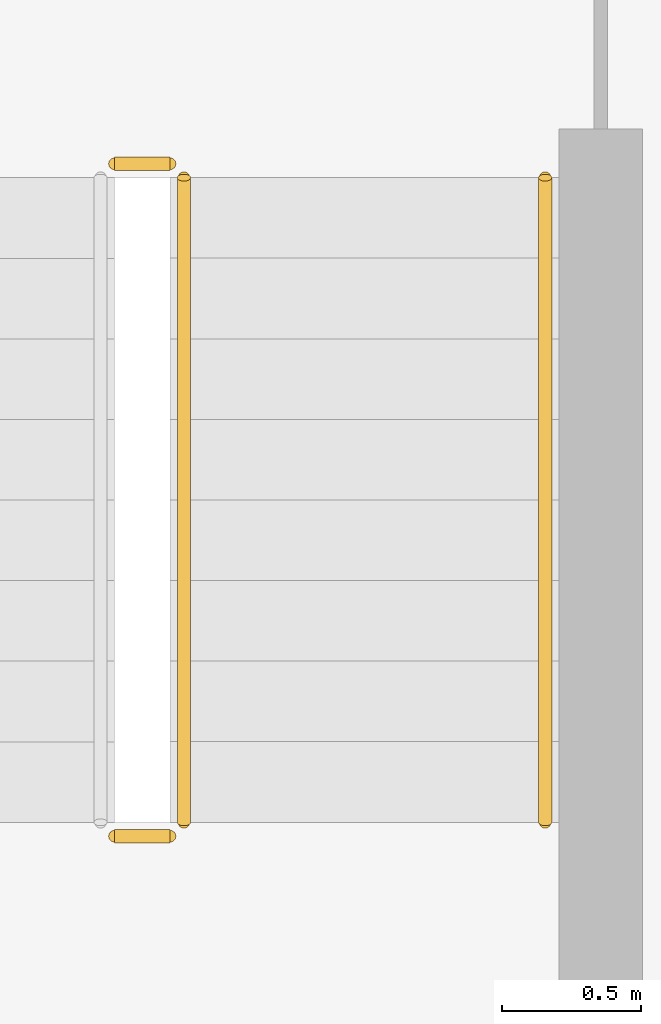
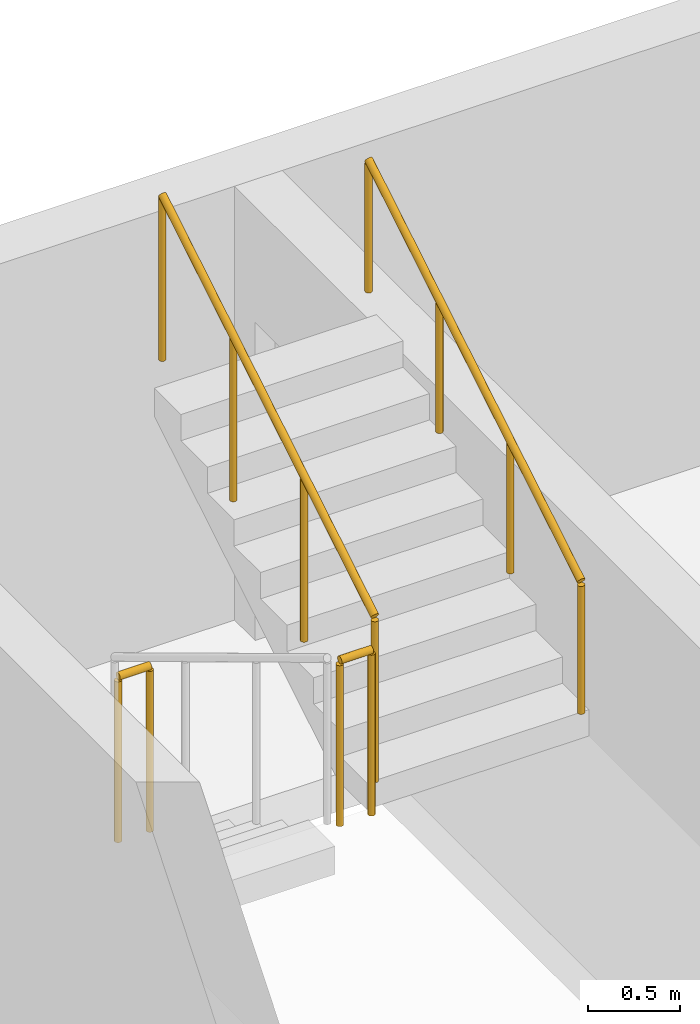
# One storey, part 22 of 28: 4 railings.
"""IFC4 building model written with IfcOpenShell, lengths in metres."""

from ifc_helpers import new_model, si_unit, derived_unit, direction, frame, origin, origin_2d, place, context, subcontext, project, spatial, circle, extrude, material, type_object, element, save


model = new_model("IFC4")

# Units and contexts
model_context = context("Model", 3, precision=1e-05, world=origin(), true_north=direction((0.0, 1.0)))
body_context = subcontext(model_context, "Body", "Model", "MODEL_VIEW")
ifc_project = project(units=[si_unit("LENGTHUNIT", "METRE"), si_unit("AREAUNIT", "SQUARE_METRE"), si_unit("VOLUMEUNIT", "CUBIC_METRE"), si_unit("PLANEANGLEUNIT", "RADIAN"), si_unit("MASSUNIT", "GRAM", prefix="KILO"), derived_unit("THERMALTRANSMITTANCEUNIT", [(si_unit("MASSUNIT", "GRAM", prefix="KILO"), 1), (si_unit("TIMEUNIT", "SECOND"), -3), (si_unit("THERMODYNAMICTEMPERATUREUNIT", "KELVIN"), -1)])], contexts=[model_context])

# Site, building, storey
site_placement = place(None, origin())
site = spatial("IfcSite", under=ifc_project, at=site_placement, CompositionType="ELEMENT")
building_placement = place(site_placement, origin())
building = spatial("IfcBuilding", under=site, at=building_placement, Name="Ochrekiln Boulevard Commons", CompositionType="ELEMENT")
storey_placement = place(building_placement, frame((0.0, 0.0, 34.125)))
storey = spatial("IfcBuildingStorey", under=building, at=storey_placement, Name="L10", CompositionType="ELEMENT", Elevation=34.125)

# Railings
ifc_material = material(Name="Brushed stainless steel 316 tubular railing", Category="steel")
railing_type_1 = type_object("IfcRailingType", Name="RLG-HDR-900", PredefinedType="HANDRAIL", material=ifc_material)
railing_1_placement = place(storey_placement, frame((9.35009765625, 114.610107421875, 1.75)))
element("IfcRailing", 1, at=railing_1_placement, inside=storey, type_object=railing_type_1, Name="L10 ST-A2 stair handrail 2", PredefinedType="HANDRAIL", context=body_context, shape_type="SweptSolid", body=[
    extrude(circle(Radius=0.02392578125, at=origin_2d()), frame((0.0, 0.0, 0.8759765625), z_axis=(0.0, 0.856186286599, 0.516667245565), x_axis=(-1.0, 0.0, 0.0)), (0.0, 0.0, 1.0), 2.70947265625),
    extrude(circle(Radius=0.02099609375, at=origin_2d()), origin(), (0.0, 0.0, 1.0), 0.851806640625),
    extrude(circle(Radius=0.02099609375, at=origin_2d()), frame((0.0, 0.773193359375, 0.466552734375)), (0.0, 0.0, 1.0), 0.851806640625),
    extrude(circle(Radius=0.02099609375, at=origin_2d()), frame((0.0, 1.546630859375, 0.933349609375)), (0.0, 0.0, 1.0), 0.851806640625),
    extrude(circle(Radius=0.02099609375, at=origin_2d()), frame((0.0, 2.31982421875, 1.39990234375)), (0.0, 0.0, 1.0), 0.851806640625),
])
railing_type_2 = type_object("IfcRailingType", Name="RLG-STR-1120", PredefinedType="BALUSTRADE", material=ifc_material)
railing_2_placement = place(storey_placement, frame((7.800048828125, 114.56005859375, 1.574951171875)))
element("IfcRailing", 2, at=railing_2_placement, inside=storey, type_object=railing_type_2, Name="L10 ST-A2 stair guard 2", PredefinedType="BALUSTRADE", context=body_context, shape_type="SweptSolid", body=[
    extrude(circle(Radius=0.02392578125, at=origin_2d()), frame((0.0, 0.0, 1.09619140625), z_axis=(1.0, 0.0, 0.0), x_axis=(0.0, 1.0, 0.0)), (0.0, 0.0, 1.0), 0.199951171875),
    extrude(circle(Radius=0.02099609375, at=origin_2d()), origin(), (0.0, 0.0, 1.0), 1.072021484375),
    extrude(circle(Radius=0.02099609375, at=origin_2d()), frame((0.199951171875, 0.0, 0.0)), (0.0, 0.0, 1.0), 1.072021484375),
])
railing_3_placement = place(storey_placement, frame((8.050048828125, 114.610107421875, 1.75)))
element("IfcRailing", 3, at=railing_3_placement, inside=storey, type_object=railing_type_2, Name="L10 ST-A2 stair guard 3", PredefinedType="BALUSTRADE", context=body_context, shape_type="SweptSolid", body=[
    extrude(circle(Radius=0.02392578125, at=origin_2d()), frame((0.0, 0.0, 1.09619140625), z_axis=(0.0, 0.856186286599, 0.516667245565), x_axis=(-1.0, 0.0, 0.0)), (0.0, 0.0, 1.0), 2.70947265625),
    extrude(circle(Radius=0.02099609375, at=origin_2d()), origin(), (0.0, 0.0, 1.0), 1.072021484375),
    extrude(circle(Radius=0.02099609375, at=origin_2d()), frame((0.0, 0.773193359375, 0.466552734375)), (0.0, 0.0, 1.0), 1.072021484375),
    extrude(circle(Radius=0.02099609375, at=origin_2d()), frame((0.0, 1.546630859375, 0.933349609375)), (0.0, 0.0, 1.0), 1.072021484375),
    extrude(circle(Radius=0.02099609375, at=origin_2d()), frame((0.0, 2.31982421875, 1.39990234375)), (0.0, 0.0, 1.0), 1.072021484375),
])
railing_4_placement = place(storey_placement, frame((7.800048828125, 116.97998046875, 0.0)))
element("IfcRailing", 4, at=railing_4_placement, inside=storey, type_object=railing_type_2, Name="L10 ST-A2 stair guard 4", PredefinedType="BALUSTRADE", context=body_context, shape_type="SweptSolid", body=[
    extrude(circle(Radius=0.02392578125, at=origin_2d()), frame((0.0, 0.0, 1.09619140625), z_axis=(1.0, 0.0, 0.0), x_axis=(0.0, 1.0, 0.0)), (0.0, 0.0, 1.0), 0.199951171875),
    extrude(circle(Radius=0.02099609375, at=origin_2d()), origin(), (0.0, 0.0, 1.0), 1.072021484375),
    extrude(circle(Radius=0.02099609375, at=origin_2d()), frame((0.199951171875, 0.0, 0.0)), (0.0, 0.0, 1.0), 1.072021484375),
])

save(model, "model.ifc")
